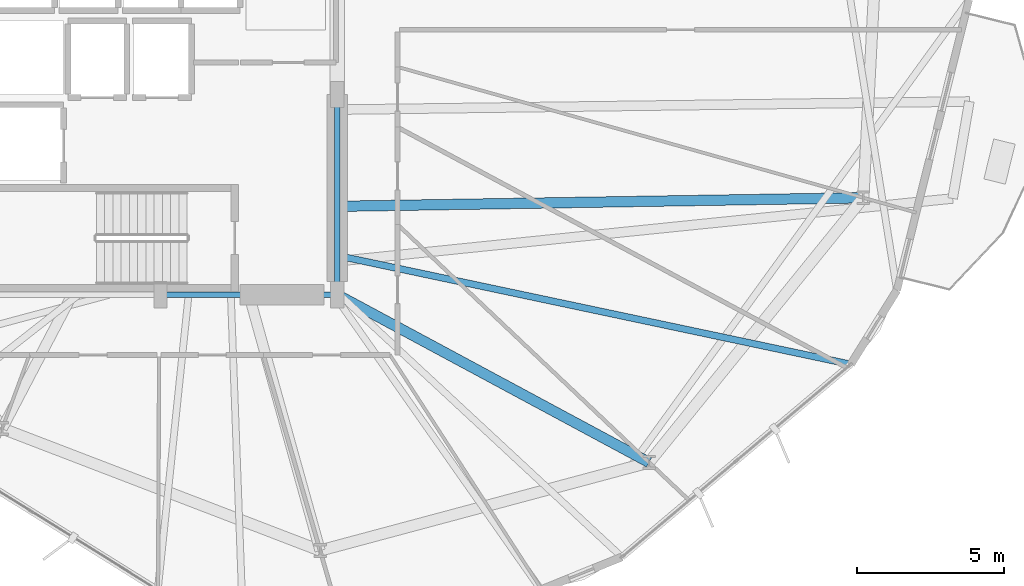
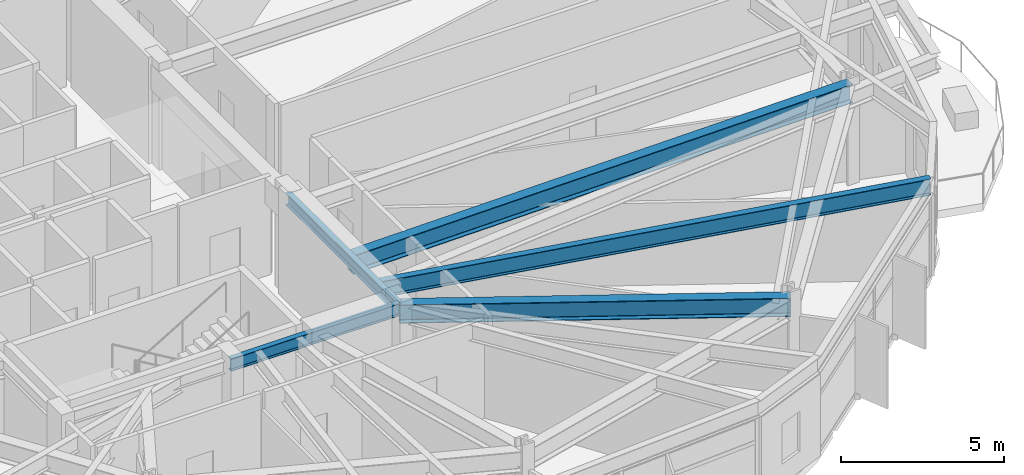
# One storey, part 6 of 22: 5 beams.
"""IFC4 building model written with IfcOpenShell, lengths in metres."""

from ifc_helpers import new_model, si_unit, direction, frame, origin, origin_2d, place, context, subcontext, project, spatial, i_section, extrude, material, material_profile, profile_set, type_object, element, save


model = new_model("IFC4")

# Units and contexts
model_context = context("Model", 3, precision=1e-05, world=origin(), true_north=direction((0.0, 1.0)))
body_context = subcontext(model_context, "Body", "Model", "MODEL_VIEW")
ifc_project = project(units=[si_unit("LENGTHUNIT", "METRE"), si_unit("AREAUNIT", "SQUARE_METRE"), si_unit("VOLUMEUNIT", "CUBIC_METRE"), si_unit("PLANEANGLEUNIT", "RADIAN"), si_unit("MASSUNIT", "GRAM", prefix="KILO")], contexts=[model_context])

# Site, building, storey
site_placement = place(None, origin())
site = spatial("IfcSite", under=ifc_project, at=site_placement, CompositionType="ELEMENT")
building_placement = place(site_placement, origin())
building = spatial("IfcBuilding", under=site, at=building_placement, Name="Soratama Intermodal Tower", CompositionType="ELEMENT")
storey_placement = place(building_placement, frame((0.0, 0.0, 42.60009765625)))
storey = spatial("IfcBuildingStorey", under=building, at=storey_placement, Name="L09", CompositionType="ELEMENT", Elevation=42.60009765625)

# Beams
ifc_material_1 = material(Name="Structural steel ASTM A992 Grade 50", Category="steel")
ifc_material_profile_1 = material_profile(ifc_material_1, i_section(OverallWidth=0.19091796875, OverallDepth=0.4599609375, WebThickness=0.010009765625, FlangeThickness=0.01611328125, FilletRadius=0.010986328125, at=origin_2d()), Name="W18X55")
ifc_profile_set_1 = profile_set([ifc_material_profile_1], Name="Structural steel ASTM A992 Grade 50")
beam_type_1 = type_object("IfcBeamType", Name="BM-FLR-W18X55", PredefinedType="BEAM", material=ifc_profile_set_1)
beam_1_placement = place(storey_placement, frame((38.60009765625, 15.0, 3.469970703125), z_axis=(1.0, 0.0, 0.0), x_axis=(0.0, 1.0, 0.0)))
element("IfcBeam", 1, at=beam_1_placement, inside=storey, type_object=beam_type_1, Name="BM-L09-CRING-02", PredefinedType="BEAM", context=body_context, shape_type="SweptSolid", body=[
    extrude(i_section(OverallWidth=0.19091796875, OverallDepth=0.4599609375, WebThickness=0.010009765625, FlangeThickness=0.01611328125, FilletRadius=0.010986328125, at=origin_2d()), origin(), (0.0, 0.0, 1.0), 6.0),
])
beam_2_placement = place(storey_placement, frame((44.60009765625, 15.0, 3.469970703125), z_axis=(0.0, 1.0, 0.0), x_axis=(-1.0, 0.0, 0.0)))
element("IfcBeam", 2, at=beam_2_placement, inside=storey, type_object=beam_type_1, Name="BM-L09-CRING-03", PredefinedType="BEAM", context=body_context, shape_type="SweptSolid", body=[
    extrude(i_section(OverallWidth=0.19091796875, OverallDepth=0.4599609375, WebThickness=0.010009765625, FlangeThickness=0.01611328125, FilletRadius=0.010986328125, at=origin_2d()), origin(), (0.0, 0.0, 1.0), 6.800048828125),
])
ifc_material_2 = material(Name="Structural steel ASTM A992 Grade 50", Category="steel")
ifc_material_profile_2 = material_profile(ifc_material_2, i_section(OverallWidth=0.35498046875, OverallDepth=0.695068359375, WebThickness=0.015380859375, FlangeThickness=0.02490234375, FilletRadius=0.01611328125, at=origin_2d()), Name="W27X146")
ifc_profile_set_2 = profile_set([ifc_material_profile_2], Name="Structural steel ASTM A992 Grade 50")
beam_type_2 = type_object("IfcBeamType", Name="BM-RING-W27X146", PredefinedType="BEAM", material=ifc_profile_set_2)
beam_3_placement = place(storey_placement, frame((44.60009765625, 15.0, 3.352294921875), z_axis=(0.880663887759, -0.473741613961, 0.0), x_axis=(0.473741613961, 0.880663887759, 0.0)))
element("IfcBeam", 3, at=beam_3_placement, inside=storey, type_object=beam_type_2, Name="BM-L09-RAD-09", PredefinedType="BEAM", context=body_context, shape_type="SweptSolid", body=[
    extrude(i_section(OverallWidth=0.35498046875, OverallDepth=0.695068359375, WebThickness=0.015380859375, FlangeThickness=0.02490234375, FilletRadius=0.01611328125, at=origin_2d()), origin(), (0.0, 0.0, 1.0), 12.03173828125),
])
beam_4_placement = place(storey_placement, frame((44.60009765625, 18.0, 3.352294921875), z_axis=(0.999867526408, 0.016276659176, 0.0), x_axis=(-0.016276659176, 0.999867526408, 0.0)))
element("IfcBeam", 4, at=beam_4_placement, inside=storey, type_object=beam_type_2, Name="BM-L09-RAD-10", PredefinedType="BEAM", context=body_context, shape_type="SweptSolid", body=[
    extrude(i_section(OverallWidth=0.35498046875, OverallDepth=0.695068359375, WebThickness=0.015380859375, FlangeThickness=0.02490234375, FilletRadius=0.01611328125, at=origin_2d()), origin(), (0.0, 0.0, 1.0), 17.87939453125),
])
ifc_material_3 = material(Name="Structural steel ASTM A992 Grade 50", Category="steel")
ifc_material_profile_3 = material_profile(ifc_material_3, i_section(OverallWidth=0.22900390625, OverallDepth=0.612060546875, WebThickness=0.011962890625, FlangeThickness=0.01953125, FilletRadius=0.012939453125, at=origin_2d()), Name="W24X84")
ifc_profile_set_3 = profile_set([ifc_material_profile_3], Name="Structural steel ASTM A992 Grade 50")
beam_type_3 = type_object("IfcBeamType", Name="BM-TIE-W24X84", PredefinedType="BEAM", material=ifc_profile_set_3)
beam_5_placement = place(storey_placement, frame((44.638916015625, 16.319091796875, 3.393798828125), z_axis=(0.978296687007, -0.207209054318, 0.0), x_axis=(0.207209054318, 0.978296687007, 0.0)))
element("IfcBeam", 5, at=beam_5_placement, inside=storey, type_object=beam_type_3, Name="BM-L09-TIE1-09", PredefinedType="BEAM", context=body_context, shape_type="SweptSolid", body=[
    extrude(i_section(OverallWidth=0.22900390625, OverallDepth=0.612060546875, WebThickness=0.011962890625, FlangeThickness=0.01953125, FilletRadius=0.012939453125, at=origin_2d()), origin(), (0.0, 0.0, 1.0), 17.79833984375),
])

save(model, "model.ifc")
